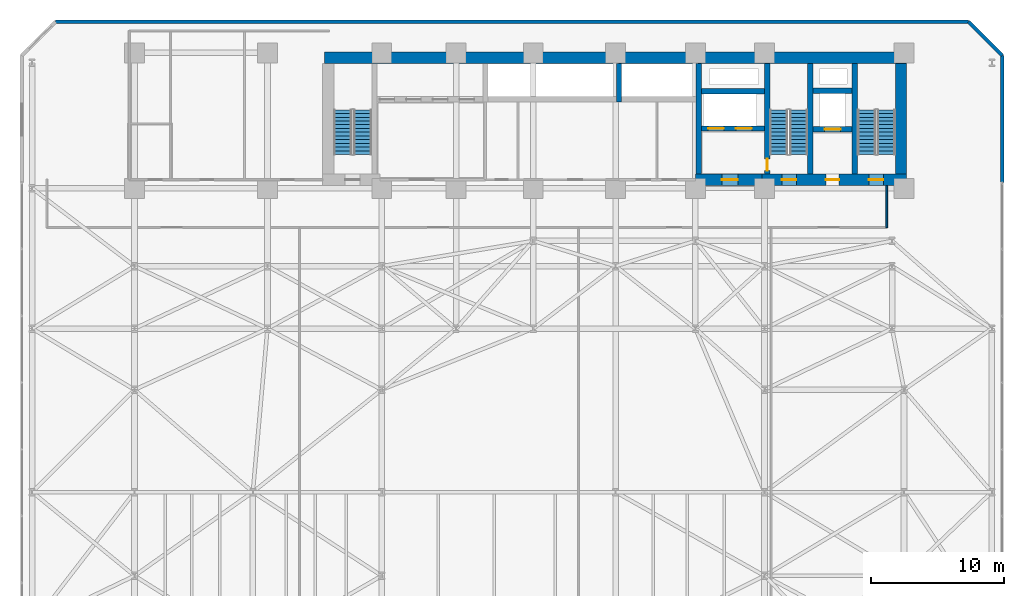
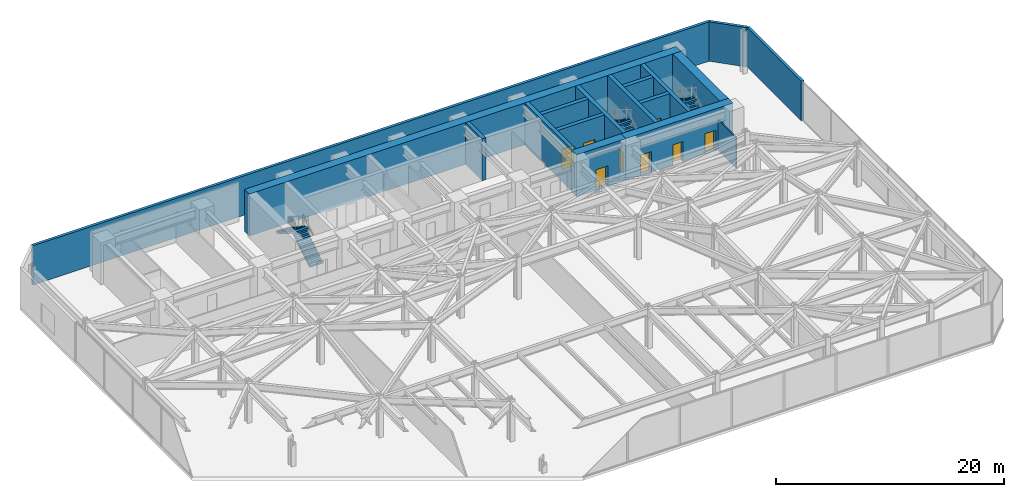
# One storey, part 26 of 28: 17 walls, 8 doors, 6 stair flights, 8 openings, 3 elements without a shape of their own.
"""IFC4 building model written with IfcOpenShell, lengths in metres."""

import ifcopenshell
import ifcopenshell.guid

model = None  # the IFC model being written
_history = None  # IfcOwnerHistory: only IFC2X3 demands one
_inside = {}  # id of a spatial element -> (the spatial element, [elements in it])
_under = {}  # id of a project, library or spatial element -> (it, [spatial elements below it])
_declared = {}  # id of a project -> (the project, [libraries it declares])
_typed = {}  # id of a type object -> (the type object, [elements of that type])
_made_of = {}  # id of a material, layer set ... -> (it, [elements and type objects made of it])


def new_model(schema):
    """Start an empty IFC model of exactly this schema.

    Asked for "IFC4X3", IfcOpenShell would pick the latest addendum, in which some entities
    have other attributes; the version numbers below select the first issue.
    IFC2X3 requires an IfcOwnerHistory on every rooted entity: one is made here for all.
    """
    global model, _history
    if schema == "IFC4X3":
        model = ifcopenshell.file(schema_version=(4, 3, 0, 0))
    else:
        model = ifcopenshell.file(schema=schema)
    _inside.clear()
    _under.clear()
    _declared.clear()
    _typed.clear()
    _made_of.clear()
    _history = None
    if model.schema == "IFC2X3":
        org = make("IfcOrganization", Name="unknown")
        user = make(
            "IfcPersonAndOrganization",
            ThePerson=make("IfcPerson", FamilyName="unknown"),
            TheOrganization=org,
        )
        app = make(
            "IfcApplication",
            ApplicationDeveloper=org,
            Version="unknown",
            ApplicationFullName="unknown",
            ApplicationIdentifier="unknown",
        )
        _history = make(
            "IfcOwnerHistory",
            OwningUser=user,
            OwningApplication=app,
            ChangeAction="ADDED",
            CreationDate=0,
        )
    return model


def make(cls, **values):
    """One entity of the class cls with the attributes given. An attribute that is None is left unset."""
    return model.create_entity(
        cls, **{name: value for name, value in values.items() if value is not None}
    )


def rooted(cls, **values):
    """An entity with a GlobalId (a new one), such as an element, a storey or a relation."""
    return make(cls, GlobalId=ifcopenshell.guid.new(), OwnerHistory=_history, **values)


def si_unit(unit_type, name, prefix=None):
    """IfcSIUnit, for example si_unit("LENGTHUNIT", "METRE", prefix="MILLI")."""
    return make("IfcSIUnit", UnitType=unit_type, Prefix=prefix, Name=name)


def assignment(units):
    """IfcUnitAssignment: the units of a project."""
    return None if units is None else make("IfcUnitAssignment", Units=units)


def point(xyz):
    """IfcCartesianPoint."""
    return None if xyz is None else make("IfcCartesianPoint", Coordinates=xyz)


def direction(xyz):
    """IfcDirection."""
    return None if xyz is None else make("IfcDirection", DirectionRatios=xyz)


def frame(location, z_axis=None, x_axis=None):
    """IfcAxis2Placement3D, a coordinate frame: its origin and axes. An axis left out is left unset."""
    return make(
        "IfcAxis2Placement3D",
        Location=point(location),
        Axis=direction(z_axis),
        RefDirection=direction(x_axis),
    )


def frame_2d(location, x_axis=None):
    """IfcAxis2Placement2D, a coordinate frame in the plane: its origin and x axis."""
    return make(
        "IfcAxis2Placement2D", Location=point(location), RefDirection=direction(x_axis)
    )


def origin():
    """The frame at (0, 0, 0) with its axes left unset."""
    return frame((0.0, 0.0, 0.0))


def place(relative_to, where):
    """IfcLocalPlacement: puts the frame where relative to a parent placement (None: the world)."""
    return make(
        "IfcLocalPlacement", PlacementRelTo=relative_to, RelativePlacement=where
    )


def context(
    kind, dimensions, precision=None, world=None, true_north=None, identifier=None
):
    """IfcGeometricRepresentationContext, for example the 3D "Model" context."""
    return make(
        "IfcGeometricRepresentationContext",
        ContextIdentifier=identifier,
        ContextType=kind,
        CoordinateSpaceDimension=dimensions,
        Precision=precision,
        WorldCoordinateSystem=world,
        TrueNorth=true_north,
    )


def subcontext(parent, identifier, kind, view, scale=None):
    """IfcGeometricRepresentationSubContext, for example "Body" below "Model"."""
    return make(
        "IfcGeometricRepresentationSubContext",
        ContextIdentifier=identifier,
        ContextType=kind,
        ParentContext=parent,
        TargetScale=scale,
        TargetView=view,
    )


def project(units=None, contexts=None):
    """IfcProject with its units and contexts."""
    return rooted(
        "IfcProject",
        Name="project",
        RepresentationContexts=contexts,
        UnitsInContext=assignment(units),
    )


def spatial(cls, under=None, at=None, **own):
    """A site, building, storey or space (cls), placed at a placement, below another one or the project."""
    s = rooted(cls, ObjectPlacement=at, **own)
    if under is not None:
        _under.setdefault(under.id(), (under, []))[1].append(s)
    return s


def polyline(points):
    """IfcPolyline through the points."""
    return make("IfcPolyline", Points=[point(p) for p in points])


def profile(cls, at=None, kind="AREA", **sizes):
    """A parametric profile (cls). Its sizes go by their IFC names, for example OverallWidth=200.0."""
    return make(cls, ProfileType=kind, Position=at, **sizes)


def rectangle(**sizes):
    """IfcRectangleProfileDef."""
    return profile("IfcRectangleProfileDef", **sizes)


def outline(outer, holes=None, kind="AREA"):
    """IfcArbitraryClosedProfileDef: a profile drawn as a closed curve; with holes, ...WithVoids."""
    if holes is None:
        return make("IfcArbitraryClosedProfileDef", ProfileType=kind, OuterCurve=outer)
    return make(
        "IfcArbitraryProfileDefWithVoids",
        ProfileType=kind,
        OuterCurve=outer,
        InnerCurves=holes,
    )


def extrude(swept, where, along, depth):
    """IfcExtrudedAreaSolid: the profile swept, set in the frame where, extruded along a direction by depth."""
    return make(
        "IfcExtrudedAreaSolid",
        SweptArea=swept,
        Position=where,
        ExtrudedDirection=direction(along),
        Depth=depth,
    )


def shape(context_of_items, identifier, shape_type, items):
    """IfcShapeRepresentation: the items that make up one representation, for example the "Body"."""
    return make(
        "IfcShapeRepresentation",
        ContextOfItems=context_of_items,
        RepresentationIdentifier=identifier,
        RepresentationType=shape_type,
        Items=items,
    )


def material(Name=None, Category=None):
    """IfcMaterial."""
    return make("IfcMaterial", Name=Name, Category=Category)


def layer(
    of_material, thickness, ventilated=None, Name=None, Category=None, Priority=None
):
    """IfcMaterialLayer: one layer of a wall or slab, of a material (None: an air gap)."""
    return make(
        "IfcMaterialLayer",
        Material=of_material,
        LayerThickness=thickness,
        IsVentilated=ventilated,
        Name=Name,
        Category=Category,
        Priority=Priority,
    )


def layer_set(layers, Name=None):
    """IfcMaterialLayerSet."""
    return make("IfcMaterialLayerSet", MaterialLayers=layers, LayerSetName=Name)


def made_of(thing, what):
    """Note that an element or type object is made of a material, layer set ...; save() writes the relation."""
    if what is not None:
        _made_of.setdefault(what.id(), (what, []))[1].append(thing)
    return thing


def type_object(cls, material=None, **own):
    """A type object (cls), such as IfcWallType, which elements share."""
    return made_of(rooted(cls, **own), material)


def element(
    cls,
    number,
    at=None,
    inside=None,
    cuts=None,
    type_object=None,
    material=None,
    context=None,
    identifier="Body",
    shape_type=None,
    held_by="IfcProductDefinitionShape",
    body=None,
    shapes=None,
    **own,
):
    """One element of the class cls, such as IfcWall. Its Tag is "e" and its number.

    at: its placement. inside: the storey or other place that contains it. cuts: it is an
    opening in that element (IfcRelVoidsElement). A single representation is given by context,
    identifier, shape_type and body (its items); several are given by shapes. held_by: the class
    of the entity that holds the representations. save() writes the other relations.
    """
    e = rooted(cls, Tag="e%d" % number, ObjectPlacement=at, **own)
    if body is not None:
        shapes = [shape(context, identifier, shape_type, body)]
    if shapes is not None:
        e.Representation = make(held_by, Representations=shapes)
    if inside is not None:
        _inside.setdefault(inside.id(), (inside, []))[1].append(e)
    if cuts is not None:
        rooted(
            "IfcRelVoidsElement", RelatingBuildingElement=cuts, RelatedOpeningElement=e
        )
    if type_object is not None:
        _typed.setdefault(type_object.id(), (type_object, []))[1].append(e)
    return made_of(e, material)


def fill(opening, filler):
    """IfcRelFillsElement: the door or window that sits in an opening."""
    return rooted(
        "IfcRelFillsElement",
        RelatingOpeningElement=opening,
        RelatedBuildingElement=filler,
    )


def aggregate(whole, parts):
    """IfcRelAggregates: a whole, such as a stair, and the parts it consists of."""
    return rooted("IfcRelAggregates", RelatingObject=whole, RelatedObjects=parts)


def save(model, path):
    """Write the relations noted so far, then the file.

    IfcRelAggregates (storeys below a building ...), IfcRelContainedInSpatialStructure (elements
    in a storey), IfcRelDefinesByType, IfcRelAssociatesMaterial and IfcRelDeclares: one each for
    every whole, place, type object, material and project.
    """
    for whole, parts in _under.values():
        aggregate(whole, parts)
    for where, things in _inside.values():
        rooted(
            "IfcRelContainedInSpatialStructure",
            RelatedElements=things,
            RelatingStructure=where,
        )
    for kind, things in _typed.values():
        rooted("IfcRelDefinesByType", RelatedObjects=things, RelatingType=kind)
    for what, things in _made_of.values():
        rooted("IfcRelAssociatesMaterial", RelatedObjects=things, RelatingMaterial=what)
    for by, libraries in _declared.values():
        rooted("IfcRelDeclares", RelatingContext=by, RelatedDefinitions=libraries)
    model.write(path)


model = new_model("IFC4")

# Units and contexts
model_context = context("Model", 3, precision=1e-05, world=origin(), true_north=direction((0.0, 1.0)))
body_context = subcontext(model_context, "Body", "Model", "MODEL_VIEW")
ifc_project = project(units=[si_unit("LENGTHUNIT", "METRE"), si_unit("AREAUNIT", "SQUARE_METRE"), si_unit("VOLUMEUNIT", "CUBIC_METRE"), si_unit("PLANEANGLEUNIT", "RADIAN"), si_unit("MASSUNIT", "GRAM", prefix="KILO")], contexts=[model_context])

# Site, building, storey
site_placement = place(None, origin())
site = spatial("IfcSite", under=ifc_project, at=site_placement, CompositionType="ELEMENT")
building_placement = place(site_placement, origin())
building = spatial("IfcBuilding", under=site, at=building_placement, Name="Kravanh Interchange Tower", CompositionType="ELEMENT")
storey_placement = place(building_placement, frame((0.0, 0.0, 15.300048828125)))
storey = spatial("IfcBuildingStorey", under=building, at=storey_placement, Name="L03", CompositionType="ELEMENT", Elevation=15.300048828125)

# Walls
ifc_material_1 = material(Name="Double Acoustic Gypsum Board and Mineral Wool")
ifc_layer_1 = layer(ifc_material_1, 0.1201171875)
ifc_layer_set_1 = layer_set([ifc_layer_1], Name="Acoustic Office Drywall Partition 120mm")
wall_type_1 = type_object("IfcWallType", Name="Acoustic Office Drywall Partition 120mm", PredefinedType="PARTITIONING", material=ifc_layer_set_1)
wall_1_placement = place(storey_placement, frame((65.199951171875, 34.39990234375, 0.0), z_axis=(0.0, 0.0, 1.0), x_axis=(0.0, 1.0, 0.0)))
element("IfcWall", 1, at=wall_1_placement, inside=storey, type_object=wall_type_1, Name="L03 Interior Partition 9", PredefinedType="PARTITIONING", context=body_context, shape_type="SweptSolid", body=[
    extrude(rectangle(XDim=3.1669921875, YDim=0.1201171875, at=frame_2d((1.58349609375, 0.0))), origin(), (0.0, 0.0, 1.0), 3.281982421875),
])
ifc_material_2 = material(Name="Concrete C80/95", Category="concrete")
ifc_layer_2 = layer(ifc_material_2, 0.39990234375)
ifc_layer_set_2 = layer_set([ifc_layer_2], Name="Core Shear Wall Concrete C80/95 400mm")
wall_type_2 = type_object("IfcWallType", Name="Core Shear Wall Concrete C80/95 400mm", PredefinedType="SHEAR", material=ifc_layer_set_2)
for number, where, z_axis, x_axis, name in (
    (2, (62.800048828125, 38.425048828125, 0.0), (0.0, 0.0, 1.0), (0.0, 1.0, 0.0), "L03 Stair ST1 West Shear Wall"),
    (3, (59.449951171875, 38.425048828125, 0.0), (0.0, 0.0, 1.0), (0.0, 1.0, 0.0), "L03 Stair ST2 East Shear Wall"),
):
    element("IfcWall", number, at=place(storey_placement, frame(where, z_axis=z_axis, x_axis=x_axis)), inside=storey, type_object=wall_type_2, Name=name, PredefinedType="SHEAR", context=body_context, shape_type="SweptSolid", body=[
        extrude(rectangle(XDim=8.324951171875, YDim=0.39990234375, at=frame_2d((4.16259765625, 0.0))), origin(), (0.0, 0.0, 1.0), 4.5),
    ])

# Wall, opening, door
wall_2_placement = place(storey_placement, frame((56.199951171875, 38.425048828125, 0.0), z_axis=(0.0, 0.0, 1.0), x_axis=(0.0, 1.0, 0.0)))
wall_2 = element("IfcWall", 4, at=wall_2_placement, inside=storey, type_object=wall_type_2, Name="L03 Stair ST2 West Shear Wall", PredefinedType="SHEAR", context=body_context, shape_type="SweptSolid", body=[
    extrude(rectangle(XDim=8.324951171875, YDim=0.39990234375, at=frame_2d((4.16259765625, 0.0))), origin(), (0.0, 0.0, 1.0), 4.5),
])
opening_1_placement = place(wall_2_placement, frame((0.2548828125, 0.0, 0.0)))
opening_1 = element("IfcOpeningElement", 5, at=opening_1_placement, cuts=wall_2, Name="Opening D-STAIR-90", PredefinedType="OPENING", context=body_context, shape_type="SweptSolid", body=[
    extrude(rectangle(XDim=0.89990234375, YDim=2.14990234375, at=frame_2d((0.449951171875, 1.074951171875))), frame((0.0, 0.2099609375, 0.0), z_axis=(0.0, -1.0, 0.0), x_axis=(1.0, 0.0, 0.0)), (0.0, 0.0, 1.0), 0.419921875),
])
ifc_material_3 = material(Name="Structural Steel S355", Category="steel")
door_type_1 = type_object("IfcDoorType", Name="Fire-Rated Stair Lobby Door 900x2150", OperationType="NOTDEFINED", PredefinedType="DOOR", material=ifc_material_3)
door_1_placement = place(opening_1_placement, origin())
door_1 = element("IfcDoor", 6, at=door_1_placement, inside=storey, type_object=door_type_1, Name="L03 Firefighting Lobby to Stair ST2 Door", OperationType="SINGLE_SWING_LEFT", OverallHeight=2.14990234375, OverallWidth=0.89990234375, PredefinedType="DOOR", context=body_context, shape_type="SweptSolid", body=[
    extrude(rectangle(XDim=0.89990234375, YDim=2.14990234375, at=frame_2d((0.449951171875, 1.074951171875))), frame((0.0, 0.02490234375, 0.0), z_axis=(0.0, -1.0, 0.0), x_axis=(1.0, 0.0, 0.0)), (0.0, 0.0, 1.0), 0.050048828125),
])
fill(opening_1, door_1)

wall_3_placement = place(storey_placement, frame((59.64990234375, 41.800048828125, 0.0), z_axis=(0.0, 0.0, 1.0), x_axis=(1.0, 0.0, 0.0)))
wall_3 = element("IfcWall", 7, at=wall_3_placement, inside=storey, type_object=wall_type_2, Name="L03 Service Lift Shaft South Wall", PredefinedType="SHEAR", context=body_context, shape_type="SweptSolid", body=[
    extrude(rectangle(XDim=2.9501953125, YDim=0.39990234375, at=frame_2d((1.47509765625, 0.0))), origin(), (0.0, 0.0, 1.0), 4.5),
])
opening_2_placement = place(wall_3_placement, frame((0.8701171875, 0.0, 0.0)))
opening_2 = element("IfcOpeningElement", 8, at=opening_2_placement, cuts=wall_3, Name="Opening LD02", PredefinedType="OPENING", context=body_context, shape_type="SweptSolid", body=[
    extrude(rectangle(XDim=1.199951171875, YDim=2.199951171875, at=frame_2d((0.60009765625, 1.10009765625))), frame((0.0, 0.2099609375, 0.0), z_axis=(0.0, -1.0, 0.0), x_axis=(1.0, 0.0, 0.0)), (0.0, 0.0, 1.0), 0.419921875),
])
ifc_material_4 = material(Name="Stainless Steel 316", Category="steel")
door_type_2 = type_object("IfcDoorType", Name="Fire and Service Lift Sliding Landing Door 1200x2200", OperationType="DOUBLE_DOOR_SLIDING", PredefinedType="DOOR", material=ifc_material_4)
door_2_placement = place(opening_2_placement, origin())
door_2 = element("IfcDoor", 9, at=door_2_placement, inside=storey, type_object=door_type_2, Name="L03 Lift LS-01 Landing Door", OperationType="DOUBLE_DOOR_SLIDING", OverallHeight=2.199951171875, OverallWidth=1.199951171875, PredefinedType="DOOR", context=body_context, shape_type="SweptSolid", body=[
    extrude(rectangle(XDim=1.199951171875, YDim=2.199951171875, at=frame_2d((0.60009765625, 1.10009765625))), frame((0.0, 0.02490234375, 0.0), z_axis=(0.0, -1.0, 0.0), x_axis=(1.0, 0.0, 0.0)), (0.0, 0.0, 1.0), 0.050048828125),
])
fill(opening_2, door_2)

# Wall
wall_4_placement = place(storey_placement, frame((59.64990234375, 44.699951171875, 0.0), z_axis=(0.0, 0.0, 1.0), x_axis=(1.0, 0.0, 0.0)))
element("IfcWall", 10, at=wall_4_placement, inside=storey, type_object=wall_type_2, Name="L03 Service Lift Shaft North Wall", PredefinedType="SHEAR", context=body_context, shape_type="SweptSolid", body=[
    extrude(rectangle(XDim=2.9501953125, YDim=0.39990234375, at=frame_2d((1.47509765625, 0.0))), origin(), (0.0, 0.0, 1.0), 4.5),
])

# Wall, openings, doors
wall_5_placement = place(storey_placement, frame((51.25, 41.85009765625, 0.0), z_axis=(0.0, 0.0, 1.0), x_axis=(1.0, 0.0, 0.0)))
wall_5 = element("IfcWall", 11, at=wall_5_placement, inside=storey, type_object=wall_type_2, Name="L03 Fire Lift Shaft South Wall", PredefinedType="SHEAR", context=body_context, shape_type="SweptSolid", body=[
    extrude(rectangle(XDim=4.75, YDim=0.39990234375, at=frame_2d((2.375, 0.0))), origin(), (0.0, 0.0, 1.0), 4.5),
])
opening_3_placement = place(wall_5_placement, frame((0.5, 0.0, 0.0)))
opening_3 = element("IfcOpeningElement", 12, at=opening_3_placement, cuts=wall_5, Name="Opening LD02", PredefinedType="OPENING", context=body_context, shape_type="SweptSolid", body=[
    extrude(rectangle(XDim=1.199951171875, YDim=2.199951171875, at=frame_2d((0.60009765625, 1.10009765625))), frame((0.0, 0.2099609375, 0.0), z_axis=(0.0, -1.0, 0.0), x_axis=(1.0, 0.0, 0.0)), (0.0, 0.0, 1.0), 0.419921875),
])
opening_4_placement = place(wall_5_placement, frame((2.60009765625, 0.0, 0.0)))
opening_4 = element("IfcOpeningElement", 13, at=opening_4_placement, cuts=wall_5, Name="Opening LD02", PredefinedType="OPENING", context=body_context, shape_type="SweptSolid", body=[
    extrude(rectangle(XDim=1.199951171875, YDim=2.199951171875, at=frame_2d((0.60009765625, 1.10009765625))), frame((0.0, 0.2099609375, 0.0), z_axis=(0.0, -1.0, 0.0), x_axis=(1.0, 0.0, 0.0)), (0.0, 0.0, 1.0), 0.419921875),
])
door_3_placement = place(opening_3_placement, origin())
door_3 = element("IfcDoor", 14, at=door_3_placement, inside=storey, type_object=door_type_2, Name="L03 Lift FSAE-01 Landing Door", OperationType="DOUBLE_DOOR_SLIDING", OverallHeight=2.199951171875, OverallWidth=1.199951171875, PredefinedType="DOOR", context=body_context, shape_type="SweptSolid", body=[
    extrude(rectangle(XDim=1.199951171875, YDim=2.199951171875, at=frame_2d((0.60009765625, 1.10009765625))), frame((0.0, 0.02490234375, 0.0), z_axis=(0.0, -1.0, 0.0), x_axis=(1.0, 0.0, 0.0)), (0.0, 0.0, 1.0), 0.050048828125),
])
fill(opening_3, door_3)
door_4_placement = place(opening_4_placement, origin())
door_4 = element("IfcDoor", 15, at=door_4_placement, inside=storey, type_object=door_type_2, Name="L03 Lift FSAE-02 Landing Door", OperationType="DOUBLE_DOOR_SLIDING", OverallHeight=2.199951171875, OverallWidth=1.199951171875, PredefinedType="DOOR", context=body_context, shape_type="SweptSolid", body=[
    extrude(rectangle(XDim=1.199951171875, YDim=2.199951171875, at=frame_2d((0.60009765625, 1.10009765625))), frame((0.0, 0.02490234375, 0.0), z_axis=(0.0, -1.0, 0.0), x_axis=(1.0, 0.0, 0.0)), (0.0, 0.0, 1.0), 0.050048828125),
])
fill(opening_4, door_4)

# Walls
wall_6_placement = place(storey_placement, frame((51.25, 44.64990234375, 0.0), z_axis=(0.0, 0.0, 1.0), x_axis=(1.0, 0.0, 0.0)))
element("IfcWall", 16, at=wall_6_placement, inside=storey, type_object=wall_type_2, Name="L03 Fire Lift Shaft North Wall", PredefinedType="SHEAR", context=body_context, shape_type="SweptSolid", body=[
    extrude(rectangle(XDim=4.75, YDim=0.39990234375, at=frame_2d((2.375, 0.0))), origin(), (0.0, 0.0, 1.0), 4.5),
])
wall_7_placement = place(storey_placement, frame((51.050048828125, 38.425048828125, 0.0), z_axis=(0.0, 0.0, 1.0), x_axis=(0.0, 1.0, 0.0)))
element("IfcWall", 17, at=wall_7_placement, inside=storey, type_object=wall_type_2, Name="L03 Firefighting Lobby West Wall", PredefinedType="SHEAR", context=body_context, shape_type="SweptSolid", body=[
    extrude(rectangle(XDim=8.324951171875, YDim=0.39990234375, at=frame_2d((4.16259765625, 0.0))), origin(), (0.0, 0.0, 1.0), 4.5),
])
wall_8_placement = place(storey_placement, frame((45.050048828125, 43.85009765625, 0.0), z_axis=(0.0, 0.0, 1.0), x_axis=(0.0, 1.0, 0.0)))
element("IfcWall", 18, at=wall_8_placement, inside=storey, type_object=wall_type_2, Name="L03 High-Rise Lift Shaft West Wall", PredefinedType="SHEAR", context=body_context, shape_type="SweptSolid", body=[
    extrude(rectangle(XDim=2.89990234375, YDim=0.39990234375, at=frame_2d((1.449951171875, 0.0))), origin(), (0.0, 0.0, 1.0), 4.5),
])
ifc_material_5 = material(Name="Concrete C80/95", Category="concrete")
ifc_layer_3 = layer(ifc_material_5, 0.85009765625)
ifc_layer_set_3 = layer_set([ifc_layer_3], Name="Core Shear Wall Concrete C80/95 850mm")
wall_type_3 = type_object("IfcWallType", Name="Core Shear Wall Concrete C80/95 850mm", PredefinedType="SHEAR", material=ifc_layer_set_3)
wall_9_placement = place(storey_placement, frame((22.89990234375, 47.175048828125, 0.0), z_axis=(0.0, 0.0, 1.0), x_axis=(1.0, 0.0, 0.0)))
element("IfcWall", 19, at=wall_9_placement, inside=storey, type_object=wall_type_3, Name="L03 North Core Shear Wall", PredefinedType="SHEAR", context=body_context, shape_type="SweptSolid", body=[
    extrude(rectangle(XDim=43.800048828125, YDim=0.85009765625, at=frame_2d((21.89990234375, 0.0))), origin(), (0.0, 0.0, 1.0), 4.5),
])

# Wall, openings, doors
wall_10_placement = place(storey_placement, frame((55.800048828125, 38.0, 0.0), z_axis=(0.0, 0.0, 1.0), x_axis=(1.0, 0.0, 0.0)))
wall_10 = element("IfcWall", 20, at=wall_10_placement, inside=storey, type_object=wall_type_3, Name="L03 East Core South Shear Wall", PredefinedType="SHEAR", context=body_context, shape_type="SweptSolid", body=[
    extrude(rectangle(XDim=10.89990234375, YDim=0.85009765625, at=frame_2d((5.449951171875, 0.0))), origin(), (0.0, 0.0, 1.0), 4.5),
])
opening_5_placement = place(wall_10_placement, frame((1.5, 0.0, 0.0)))
opening_5 = element("IfcOpeningElement", 21, at=opening_5_placement, cuts=wall_10, Name="Opening D-STAIR-110", PredefinedType="OPENING", context=body_context, shape_type="SweptSolid", body=[
    extrude(rectangle(XDim=1.10009765625, YDim=2.199951171875, at=frame_2d((0.550048828125, 1.10009765625))), frame((0.0, 0.43505859375, 0.0), z_axis=(0.0, -1.0, 0.0), x_axis=(1.0, 0.0, 0.0)), (0.0, 0.0, 1.0), 0.8701171875),
])
opening_6_placement = place(wall_10_placement, frame((4.820068359375, 0.0, 0.0)))
opening_6 = element("IfcOpeningElement", 22, at=opening_6_placement, cuts=wall_10, Name="Opening D-HOTEL-100", PredefinedType="OPENING", context=body_context, shape_type="SweptSolid", body=[
    extrude(rectangle(XDim=1.0, YDim=2.14990234375, at=frame_2d((0.5, 1.074951171875))), frame((0.0, 0.43505859375, 0.0), z_axis=(0.0, -1.0, 0.0), x_axis=(1.0, 0.0, 0.0)), (0.0, 0.0, 1.0), 0.8701171875),
])
opening_7_placement = place(wall_10_placement, frame((8.050048828125, 0.0, 0.0)))
opening_7 = element("IfcOpeningElement", 23, at=opening_7_placement, cuts=wall_10, Name="Opening D-STAIR-110", PredefinedType="OPENING", context=body_context, shape_type="SweptSolid", body=[
    extrude(rectangle(XDim=1.10009765625, YDim=2.199951171875, at=frame_2d((0.550048828125, 1.10009765625))), frame((0.0, 0.43505859375, 0.0), z_axis=(0.0, -1.0, 0.0), x_axis=(1.0, 0.0, 0.0)), (0.0, 0.0, 1.0), 0.8701171875),
])
ifc_material_6 = material(Name="Structural Steel S355", Category="steel")
door_type_3 = type_object("IfcDoorType", Name="Fire-Rated Exit Stair Door 1100x2200", OperationType="NOTDEFINED", PredefinedType="DOOR", material=ifc_material_6)
door_5_placement = place(opening_5_placement, origin())
door_5 = element("IfcDoor", 24, at=door_5_placement, inside=storey, type_object=door_type_3, Name="L03 Exit Stair ST2 Door", OperationType="SINGLE_SWING_RIGHT", OverallHeight=2.199951171875, OverallWidth=1.10009765625, PredefinedType="DOOR", context=body_context, shape_type="SweptSolid", body=[
    extrude(rectangle(XDim=1.10009765625, YDim=2.199951171875, at=frame_2d((0.550048828125, 1.10009765625))), frame((0.0, 0.02490234375, 0.0), z_axis=(0.0, -1.0, 0.0), x_axis=(1.0, 0.0, 0.0)), (0.0, 0.0, 1.0), 0.050048828125),
])
fill(opening_5, door_5)
door_6_placement = place(opening_7_placement, origin())
door_6 = element("IfcDoor", 25, at=door_6_placement, inside=storey, type_object=door_type_3, Name="L03 Exit Stair ST1 Door", OperationType="SINGLE_SWING_RIGHT", OverallHeight=2.199951171875, OverallWidth=1.10009765625, PredefinedType="DOOR", context=body_context, shape_type="SweptSolid", body=[
    extrude(rectangle(XDim=1.10009765625, YDim=2.199951171875, at=frame_2d((0.550048828125, 1.10009765625))), frame((0.0, 0.02490234375, 0.0), z_axis=(0.0, -1.0, 0.0), x_axis=(1.0, 0.0, 0.0)), (0.0, 0.0, 1.0), 0.050048828125),
])
fill(opening_7, door_6)
ifc_material_7 = material(Name="Fire-Rated Solid Timber Leaf", Category="wood")
door_type_4 = type_object("IfcDoorType", Name="Fire-Rated Suite Entrance Door 1000x2150", OperationType="NOTDEFINED", PredefinedType="DOOR", material=ifc_material_7)
door_7_placement = place(opening_6_placement, origin())
door_7 = element("IfcDoor", 26, at=door_7_placement, inside=storey, type_object=door_type_4, Name="L03 Service Lift Lobby Door", OperationType="SINGLE_SWING_RIGHT", OverallHeight=2.14990234375, OverallWidth=1.0, PredefinedType="DOOR", context=body_context, shape_type="SweptSolid", body=[
    extrude(rectangle(XDim=1.0, YDim=2.14990234375, at=frame_2d((0.5, 1.074951171875))), frame((0.0, 0.02490234375, 0.0), z_axis=(0.0, -1.0, 0.0), x_axis=(1.0, 0.0, 0.0)), (0.0, 0.0, 1.0), 0.050048828125),
])
fill(opening_6, door_7)

# Wall
wall_11_placement = place(storey_placement, frame((66.27490234375, 38.425048828125, 0.0), z_axis=(0.0, 0.0, 1.0), x_axis=(0.0, 1.0, 0.0)))
element("IfcWall", 27, at=wall_11_placement, inside=storey, type_object=wall_type_3, Name="L03 Stair ST1 East Shear Wall", PredefinedType="SHEAR", context=body_context, shape_type="SweptSolid", body=[
    extrude(rectangle(XDim=8.324951171875, YDim=0.85009765625, at=frame_2d((4.16259765625, 0.0))), origin(), (0.0, 0.0, 1.0), 4.5),
])

# Wall, opening, door
wall_12_placement = place(storey_placement, frame((50.800048828125, 38.0, 0.0), z_axis=(0.0, 0.0, 1.0), x_axis=(1.0, 0.0, 0.0)))
wall_12 = element("IfcWall", 28, at=wall_12_placement, inside=storey, type_object=wall_type_3, Name="L03 Firefighting Lobby South Shear Wall", PredefinedType="SHEAR", context=body_context, shape_type="SweptSolid", body=[
    extrude(rectangle(XDim=5.0, YDim=0.85009765625, at=frame_2d((2.5, 0.0))), origin(), (0.0, 0.0, 1.0), 4.5),
])
opening_8_placement = place(wall_12_placement, frame((2.0, 0.0, 0.0)))
opening_8 = element("IfcOpeningElement", 29, at=opening_8_placement, cuts=wall_12, Name="Opening D-FSAE-120", PredefinedType="OPENING", context=body_context, shape_type="SweptSolid", body=[
    extrude(rectangle(XDim=1.199951171875, YDim=2.199951171875, at=frame_2d((0.60009765625, 1.10009765625))), frame((0.0, 0.43505859375, 0.0), z_axis=(0.0, -1.0, 0.0), x_axis=(1.0, 0.0, 0.0)), (0.0, 0.0, 1.0), 0.8701171875),
])
ifc_material_8 = material(Name="Structural Steel S355", Category="steel")
door_type_5 = type_object("IfcDoorType", Name="Fire-Rated Refuge and FSAE Door 1200x2200", OperationType="NOTDEFINED", PredefinedType="DOOR", material=ifc_material_8)
door_8_placement = place(opening_8_placement, origin())
door_8 = element("IfcDoor", 30, at=door_8_placement, inside=storey, type_object=door_type_5, Name="L03 Firefighting Lobby Corridor Door", OperationType="SINGLE_SWING_RIGHT", OverallHeight=2.199951171875, OverallWidth=1.199951171875, PredefinedType="DOOR", context=body_context, shape_type="SweptSolid", body=[
    extrude(rectangle(XDim=1.199951171875, YDim=2.199951171875, at=frame_2d((0.60009765625, 1.10009765625))), frame((0.0, 0.02490234375, 0.0), z_axis=(0.0, -1.0, 0.0), x_axis=(1.0, 0.0, 0.0)), (0.0, 0.0, 1.0), 0.050048828125),
])
fill(opening_8, door_8)

# Walls
ifc_material_9 = material(Name="Insulated Precast Concrete C40/50 with Bronze Cladding", Category="concrete")
ifc_layer_4 = layer(ifc_material_9, 0.280029296875)
ifc_layer_set_4 = layer_set([ifc_layer_4], Name="Exterior Insulated Concrete C40/50 Bronze Spandrel Wall 280mm")
wall_type_4 = type_object("IfcWallType", Name="Exterior Insulated Concrete C40/50 Bronze Spandrel Wall 280mm", PredefinedType="STANDARD", material=ifc_layer_set_4)
wall_13_placement = place(storey_placement, frame((2.649658203125, 49.8798828125, 0.0), z_axis=(0.0, 0.0, 1.0), x_axis=(1.0, 0.0, 0.0)))
element("IfcWall", 31, at=wall_13_placement, inside=storey, type_object=wall_type_4, Name="L03 Exterior Wall 3", PredefinedType="STANDARD", context=body_context, shape_type="SweptSolid", body=[
    extrude(rectangle(XDim=68.70068359375, YDim=0.280029296875, at=frame_2d((34.350341796875, 0.0))), origin(), (0.0, 0.0, 1.0), 4.22998046875),
])
wall_14_placement = place(storey_placement, frame((71.350341796875, 49.8798828125, 0.0), z_axis=(0.0, 0.0, 1.0), x_axis=(0.707106781187, -0.707106781187, 0.0)))
element("IfcWall", 32, at=wall_14_placement, inside=storey, type_object=wall_type_4, Name="L03 Exterior Wall 4", PredefinedType="STANDARD", context=body_context, shape_type="SweptSolid", body=[
    extrude(rectangle(XDim=3.577392578125, YDim=0.280029296875, at=frame_2d((1.78857421875, 0.0))), origin(), (0.0, 0.0, 1.0), 4.22998046875),
])
wall_15_placement = place(storey_placement, frame((73.8798828125, 47.350341796875, 0.0), z_axis=(0.0, 0.0, 1.0), x_axis=(0.0, -1.0, 0.0)))
element("IfcWall", 33, at=wall_15_placement, inside=storey, type_object=wall_type_4, Name="L03 Exterior Wall 5", PredefinedType="STANDARD", context=body_context, shape_type="SweptSolid", body=[
    extrude(rectangle(XDim=9.55029296875, YDim=0.280029296875, at=frame_2d((4.775146484375, 0.0))), origin(), (0.0, 0.0, 1.0), 4.22998046875),
])

# Stair, stair flights
ifc_material_10 = material(Name="Concrete C50/60", Category="concrete")
stair_type = type_object("IfcStairType", Name="Core Fire Exit Dogleg Stair Concrete C50/60", PredefinedType="HALF_TURN_STAIR", material=ifc_material_10)
stair_1_placement = place(storey_placement, origin())
stair_1 = element("IfcStair", 34, at=stair_1_placement, inside=storey, type_object=stair_type, Name="L03 Exit Stair ST1", PredefinedType="HALF_TURN_STAIR")
ifc_material_11 = material(Name="Precast Concrete C50/60", Category="concrete")
ifc_layer_5 = layer(ifc_material_11, 0.199951171875)
ifc_layer_set_5 = layer_set([ifc_layer_5], Name="Precast Concrete C50/60 Stair Flight 1350mm")
stair_flight_type = type_object("IfcStairFlightType", Name="Precast Concrete C50/60 Stair Flight 1350mm", PredefinedType="STRAIGHT", material=ifc_layer_set_5)
stair_flight_1_placement = place(storey_placement, frame((65.175048828125, 39.89990234375, 0.0), z_axis=(0.0, 0.0, 1.0), x_axis=(0.0, 1.0, 0.0)))
stair_flight_1 = element("IfcStairFlight", 35, at=stair_flight_1_placement, type_object=stair_flight_type, Name="ST1 flight 1", NumberOfRisers=13, NumberOfTreads=12, PredefinedType="STRAIGHT", RiserHeight=0.173076923, TreadLength=0.28, context=body_context, shape_type="SweptSolid", body=[
    extrude(outline(polyline([(0.0, 0.0), (0.0, 0.173095703125), (0.280029296875, 0.173095703125), (0.280029296875, 0.34619140625), (0.56005859375, 0.34619140625), (0.56005859375, 0.519287109375), (0.840087890625, 0.519287109375), (0.840087890625, 0.6923828125), (1.1201171875, 0.6923828125), (1.1201171875, 0.865478515625), (1.39990234375, 0.865478515625), (1.39990234375, 1.03857421875), (1.679931640625, 1.03857421875), (1.679931640625, 1.21142578125), (1.9599609375, 1.21142578125), (1.9599609375, 1.384521484375), (2.239990234375, 1.384521484375), (2.239990234375, 1.5576171875), (2.52001953125, 1.5576171875), (2.52001953125, 1.730712890625), (2.800048828125, 1.730712890625), (2.800048828125, 1.90380859375), (3.080078125, 1.90380859375), (3.080078125, 2.076904296875), (3.360107421875, 2.076904296875), (3.360107421875, 2.25), (3.360107421875, 1.900634765625), (0.28515625, 0.0), (0.0, 0.0)])), frame((0.0, 0.675048828125, 0.0), z_axis=(0.0, -1.0, 0.0), x_axis=(1.0, 0.0, 0.0)), (0.0, 0.0, 1.0), 1.35009765625),
])
stair_flight_2_placement = place(storey_placement, frame((63.675048828125, 43.260009765625, 2.25), z_axis=(0.0, 0.0, 1.0), x_axis=(0.0, -1.0, 0.0)))
stair_flight_2 = element("IfcStairFlight", 36, at=stair_flight_2_placement, type_object=stair_flight_type, Name="ST1 flight 2", NumberOfRisers=13, NumberOfTreads=12, PredefinedType="STRAIGHT", RiserHeight=0.173076923, TreadLength=0.28, context=body_context, shape_type="SweptSolid", body=[
    extrude(outline(polyline([(0.0, 0.0), (0.0, 0.173095703125), (0.280029296875, 0.173095703125), (0.280029296875, 0.34619140625), (0.56005859375, 0.34619140625), (0.56005859375, 0.519287109375), (0.840087890625, 0.519287109375), (0.840087890625, 0.6923828125), (1.1201171875, 0.6923828125), (1.1201171875, 0.865478515625), (1.39990234375, 0.865478515625), (1.39990234375, 1.03857421875), (1.679931640625, 1.03857421875), (1.679931640625, 1.21142578125), (1.9599609375, 1.21142578125), (1.9599609375, 1.384521484375), (2.239990234375, 1.384521484375), (2.239990234375, 1.5576171875), (2.52001953125, 1.5576171875), (2.52001953125, 1.730712890625), (2.800048828125, 1.730712890625), (2.800048828125, 1.90380859375), (3.080078125, 1.90380859375), (3.080078125, 2.076904296875), (3.360107421875, 2.076904296875), (3.360107421875, 2.25), (3.360107421875, 1.900634765625), (0.28515625, 0.0), (0.0, 0.0)])), frame((0.0, 0.675048828125, 0.0), z_axis=(0.0, -1.0, 0.0), x_axis=(1.0, 0.0, 0.0)), (0.0, 0.0, 1.0), 1.35009765625),
])
aggregate(stair_1, [stair_flight_1, stair_flight_2])

stair_2_placement = place(storey_placement, origin())
stair_2 = element("IfcStair", 37, at=stair_2_placement, inside=storey, type_object=stair_type, Name="L03 Exit Stair ST2", PredefinedType="HALF_TURN_STAIR")
stair_flight_3_placement = place(storey_placement, frame((58.574951171875, 39.89990234375, 0.0), z_axis=(0.0, 0.0, 1.0), x_axis=(0.0, 1.0, 0.0)))
stair_flight_3 = element("IfcStairFlight", 38, at=stair_flight_3_placement, type_object=stair_flight_type, Name="ST2 flight 1", NumberOfRisers=13, NumberOfTreads=12, PredefinedType="STRAIGHT", RiserHeight=0.173076923, TreadLength=0.28, context=body_context, shape_type="SweptSolid", body=[
    extrude(outline(polyline([(0.0, 0.0), (0.0, 0.173095703125), (0.280029296875, 0.173095703125), (0.280029296875, 0.34619140625), (0.56005859375, 0.34619140625), (0.56005859375, 0.519287109375), (0.840087890625, 0.519287109375), (0.840087890625, 0.6923828125), (1.1201171875, 0.6923828125), (1.1201171875, 0.865478515625), (1.39990234375, 0.865478515625), (1.39990234375, 1.03857421875), (1.679931640625, 1.03857421875), (1.679931640625, 1.21142578125), (1.9599609375, 1.21142578125), (1.9599609375, 1.384521484375), (2.239990234375, 1.384521484375), (2.239990234375, 1.5576171875), (2.52001953125, 1.5576171875), (2.52001953125, 1.730712890625), (2.800048828125, 1.730712890625), (2.800048828125, 1.90380859375), (3.080078125, 1.90380859375), (3.080078125, 2.076904296875), (3.360107421875, 2.076904296875), (3.360107421875, 2.25), (3.360107421875, 1.900634765625), (0.28515625, 0.0), (0.0, 0.0)])), frame((0.0, 0.675048828125, 0.0), z_axis=(0.0, -1.0, 0.0), x_axis=(1.0, 0.0, 0.0)), (0.0, 0.0, 1.0), 1.35009765625),
])
stair_flight_4_placement = place(storey_placement, frame((57.074951171875, 43.260009765625, 2.25), z_axis=(0.0, 0.0, 1.0), x_axis=(0.0, -1.0, 0.0)))
stair_flight_4 = element("IfcStairFlight", 39, at=stair_flight_4_placement, type_object=stair_flight_type, Name="ST2 flight 2", NumberOfRisers=13, NumberOfTreads=12, PredefinedType="STRAIGHT", RiserHeight=0.173076923, TreadLength=0.28, context=body_context, shape_type="SweptSolid", body=[
    extrude(outline(polyline([(0.0, 0.0), (0.0, 0.173095703125), (0.280029296875, 0.173095703125), (0.280029296875, 0.34619140625), (0.56005859375, 0.34619140625), (0.56005859375, 0.519287109375), (0.840087890625, 0.519287109375), (0.840087890625, 0.6923828125), (1.1201171875, 0.6923828125), (1.1201171875, 0.865478515625), (1.39990234375, 0.865478515625), (1.39990234375, 1.03857421875), (1.679931640625, 1.03857421875), (1.679931640625, 1.21142578125), (1.9599609375, 1.21142578125), (1.9599609375, 1.384521484375), (2.239990234375, 1.384521484375), (2.239990234375, 1.5576171875), (2.52001953125, 1.5576171875), (2.52001953125, 1.730712890625), (2.800048828125, 1.730712890625), (2.800048828125, 1.90380859375), (3.080078125, 1.90380859375), (3.080078125, 2.076904296875), (3.360107421875, 2.076904296875), (3.360107421875, 2.25), (3.360107421875, 1.900634765625), (0.28515625, 0.0), (0.0, 0.0)])), frame((0.0, 0.675048828125, 0.0), z_axis=(0.0, -1.0, 0.0), x_axis=(1.0, 0.0, 0.0)), (0.0, 0.0, 1.0), 1.35009765625),
])
aggregate(stair_2, [stair_flight_3, stair_flight_4])

stair_3_placement = place(storey_placement, origin())
stair_3 = element("IfcStair", 40, at=stair_3_placement, inside=storey, type_object=stair_type, Name="L03 Exit Stair ST3", PredefinedType="HALF_TURN_STAIR")
stair_flight_5_placement = place(storey_placement, frame((25.77490234375, 39.89990234375, 0.0), z_axis=(0.0, 0.0, 1.0), x_axis=(0.0, 1.0, 0.0)))
stair_flight_5 = element("IfcStairFlight", 41, at=stair_flight_5_placement, type_object=stair_flight_type, Name="ST3 flight 1", NumberOfRisers=13, NumberOfTreads=12, PredefinedType="STRAIGHT", RiserHeight=0.173076923, TreadLength=0.28, context=body_context, shape_type="SweptSolid", body=[
    extrude(outline(polyline([(0.0, 0.0), (0.0, 0.173095703125), (0.280029296875, 0.173095703125), (0.280029296875, 0.34619140625), (0.56005859375, 0.34619140625), (0.56005859375, 0.519287109375), (0.840087890625, 0.519287109375), (0.840087890625, 0.6923828125), (1.1201171875, 0.6923828125), (1.1201171875, 0.865478515625), (1.39990234375, 0.865478515625), (1.39990234375, 1.03857421875), (1.679931640625, 1.03857421875), (1.679931640625, 1.21142578125), (1.9599609375, 1.21142578125), (1.9599609375, 1.384521484375), (2.239990234375, 1.384521484375), (2.239990234375, 1.5576171875), (2.52001953125, 1.5576171875), (2.52001953125, 1.730712890625), (2.800048828125, 1.730712890625), (2.800048828125, 1.90380859375), (3.080078125, 1.90380859375), (3.080078125, 2.076904296875), (3.360107421875, 2.076904296875), (3.360107421875, 2.25), (3.360107421875, 1.900634765625), (0.28515625, 0.0), (0.0, 0.0)])), frame((0.0, 0.675048828125, 0.0), z_axis=(0.0, -1.0, 0.0), x_axis=(1.0, 0.0, 0.0)), (0.0, 0.0, 1.0), 1.35009765625),
])
stair_flight_6_placement = place(storey_placement, frame((24.27490234375, 43.260009765625, 2.25), z_axis=(0.0, 0.0, 1.0), x_axis=(0.0, -1.0, 0.0)))
stair_flight_6 = element("IfcStairFlight", 42, at=stair_flight_6_placement, type_object=stair_flight_type, Name="ST3 flight 2", NumberOfRisers=13, NumberOfTreads=12, PredefinedType="STRAIGHT", RiserHeight=0.173076923, TreadLength=0.28, context=body_context, shape_type="SweptSolid", body=[
    extrude(outline(polyline([(0.0, 0.0), (0.0, 0.173095703125), (0.280029296875, 0.173095703125), (0.280029296875, 0.34619140625), (0.56005859375, 0.34619140625), (0.56005859375, 0.519287109375), (0.840087890625, 0.519287109375), (0.840087890625, 0.6923828125), (1.1201171875, 0.6923828125), (1.1201171875, 0.865478515625), (1.39990234375, 0.865478515625), (1.39990234375, 1.03857421875), (1.679931640625, 1.03857421875), (1.679931640625, 1.21142578125), (1.9599609375, 1.21142578125), (1.9599609375, 1.384521484375), (2.239990234375, 1.384521484375), (2.239990234375, 1.5576171875), (2.52001953125, 1.5576171875), (2.52001953125, 1.730712890625), (2.800048828125, 1.730712890625), (2.800048828125, 1.90380859375), (3.080078125, 1.90380859375), (3.080078125, 2.076904296875), (3.360107421875, 2.076904296875), (3.360107421875, 2.25), (3.360107421875, 1.900634765625), (0.28515625, 0.0), (0.0, 0.0)])), frame((0.0, 0.675048828125, 0.0), z_axis=(0.0, -1.0, 0.0), x_axis=(1.0, 0.0, 0.0)), (0.0, 0.0, 1.0), 1.35009765625),
])
aggregate(stair_3, [stair_flight_5, stair_flight_6])

save(model, "model.ifc")
